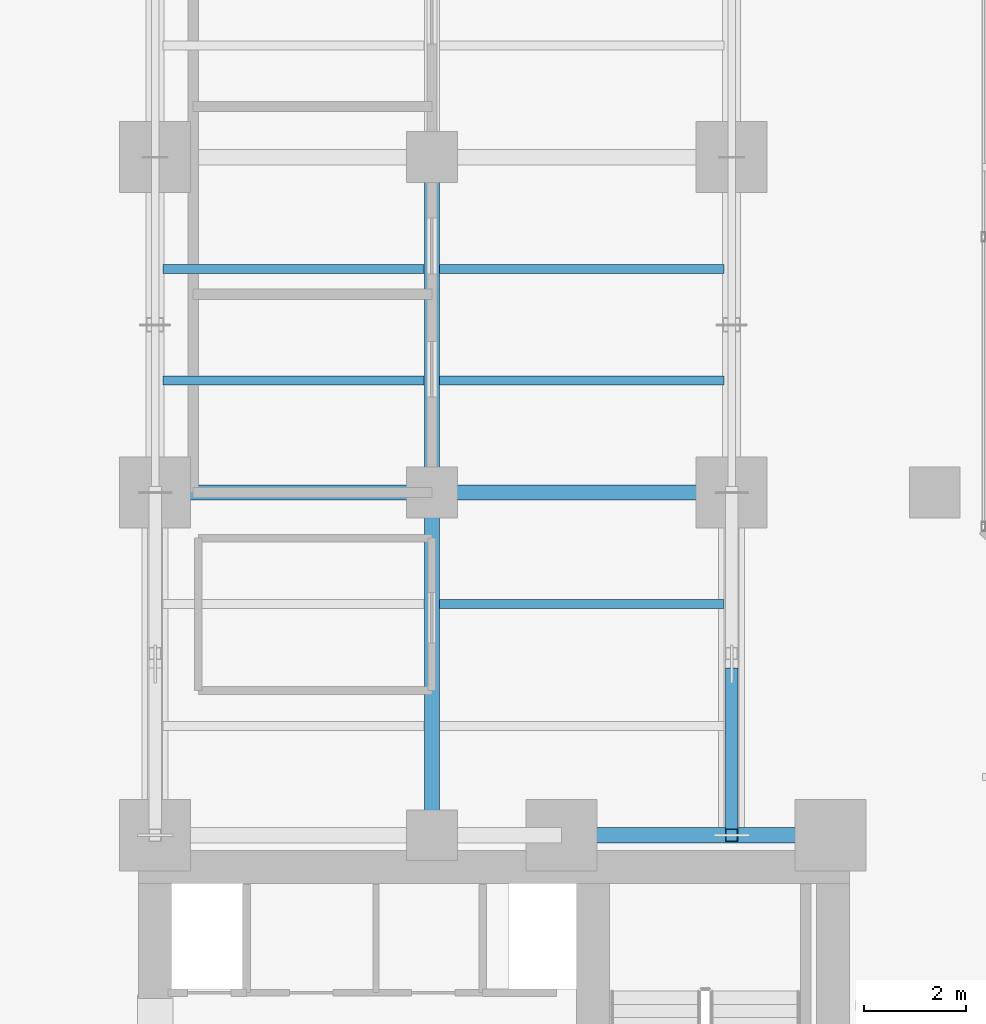
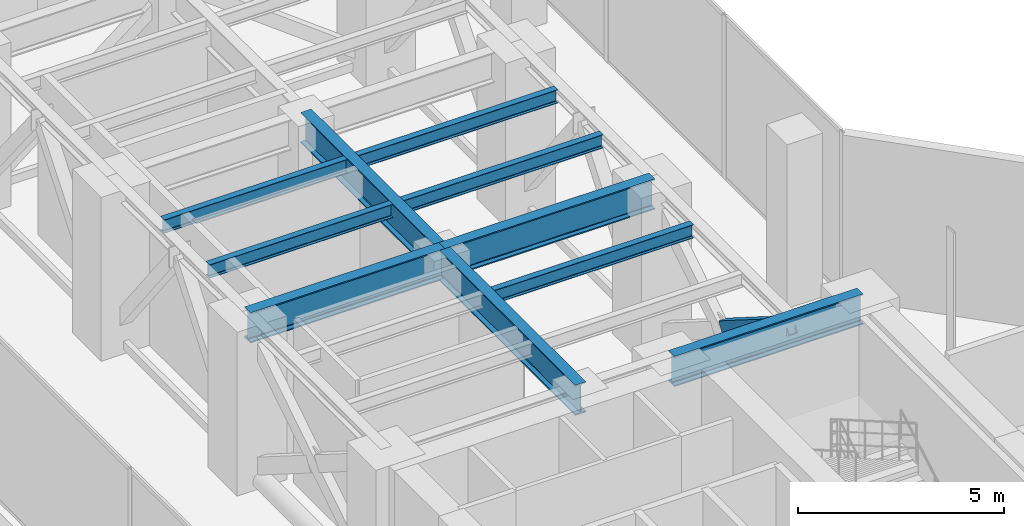
# One storey, part 11 of 37: 10 beams, 1 member.
"""IFC4 building model written with IfcOpenShell, lengths in metres."""

from ifc_helpers import new_model, si_unit, direction, frame, origin, origin_2d, place, context, subcontext, project, spatial, hollow_rectangle, i_section, extrude, material, material_profile, profile_set, type_object, element, save


model = new_model("IFC4")

# Units and contexts
model_context = context("Model", 3, precision=1e-05, world=origin(), true_north=direction((0.0, 1.0)))
body_context = subcontext(model_context, "Body", "Model", "MODEL_VIEW")
ifc_project = project(units=[si_unit("LENGTHUNIT", "METRE"), si_unit("AREAUNIT", "SQUARE_METRE"), si_unit("VOLUMEUNIT", "CUBIC_METRE"), si_unit("PLANEANGLEUNIT", "RADIAN"), si_unit("MASSUNIT", "GRAM", prefix="KILO")], contexts=[model_context])

# Site, building, storey
site_placement = place(None, origin())
site = spatial("IfcSite", under=ifc_project, at=site_placement, CompositionType="ELEMENT")
building_placement = place(site_placement, origin())
building = spatial("IfcBuilding", under=site, at=building_placement, Name="Kolvaren Waterfront Exchange", CompositionType="ELEMENT")
storey_placement = place(building_placement, frame((0.0, 0.0, 141.10009765625)))
storey = spatial("IfcBuildingStorey", under=building, at=storey_placement, Name="L36", CompositionType="ELEMENT", Elevation=141.10009765625)

# Beams
ifc_material_1 = material(Name="Steel S355", Category="steel")
ifc_material_profile_1 = material_profile(ifc_material_1, i_section(OverallWidth=0.300048828125, OverallDepth=0.89990234375, WebThickness=0.0185546875, FlangeThickness=0.034912109375, FilletRadius=0.030029296875, at=origin_2d()), Name="HEB900")
ifc_profile_set_1 = profile_set([ifc_material_profile_1], Name="Steel S355")
beam_type_1 = type_object("IfcBeamType", Name="STR-BM-HEB900", PredefinedType="BEAM", material=ifc_profile_set_1)
beam_1_placement = place(storey_placement, frame((15.449951171875, 24.449951171875, 4.409912109375), z_axis=(1.0, 0.0, 0.0), x_axis=(0.0, 1.0, 0.0)))
element("IfcBeam", 1, at=beam_1_placement, inside=storey, type_object=beam_type_1, Name="L36 north-arm girder 1C", PredefinedType="BEAM", context=body_context, shape_type="SweptSolid", body=[
    extrude(i_section(OverallWidth=0.300048828125, OverallDepth=0.89990234375, WebThickness=0.0185546875, FlangeThickness=0.034912109375, FilletRadius=0.030029296875, at=origin_2d()), origin(), (0.0, 0.0, 1.0), 5.300048828125),
])
beam_2_placement = place(storey_placement, frame((7.449951171875, 31.199951171875, 4.409912109375), z_axis=(1.0, 0.0, 0.0), x_axis=(0.0, 1.0, 0.0)))
element("IfcBeam", 2, at=beam_2_placement, inside=storey, type_object=beam_type_1, Name="L36 north-arm girder 2A", PredefinedType="BEAM", context=body_context, shape_type="SweptSolid", body=[
    extrude(i_section(OverallWidth=0.300048828125, OverallDepth=0.89990234375, WebThickness=0.0185546875, FlangeThickness=0.034912109375, FilletRadius=0.030029296875, at=origin_2d()), origin(), (0.0, 0.0, 1.0), 5.449951171875),
])
beam_3_placement = place(storey_placement, frame((12.89990234375, 31.199951171875, 4.409912109375), z_axis=(1.0, 0.0, 0.0), x_axis=(0.0, 1.0, 0.0)))
element("IfcBeam", 3, at=beam_3_placement, inside=storey, type_object=beam_type_1, Name="L36 north-arm girder 2B", PredefinedType="BEAM", context=body_context, shape_type="SweptSolid", body=[
    extrude(i_section(OverallWidth=0.300048828125, OverallDepth=0.89990234375, WebThickness=0.0185546875, FlangeThickness=0.034912109375, FilletRadius=0.030029296875, at=origin_2d()), origin(), (0.0, 0.0, 1.0), 5.900146484375),
])
beam_4_placement = place(storey_placement, frame((12.89990234375, 24.449951171875, 4.409912109375), z_axis=(0.0, 1.0, 0.0), x_axis=(-1.0, 0.0, 0.0)))
element("IfcBeam", 4, at=beam_4_placement, inside=storey, type_object=beam_type_1, Name="L36 north-arm edge beam 1", PredefinedType="BEAM", context=body_context, shape_type="SweptSolid", body=[
    extrude(i_section(OverallWidth=0.300048828125, OverallDepth=0.89990234375, WebThickness=0.0185546875, FlangeThickness=0.034912109375, FilletRadius=0.030029296875, at=origin_2d()), origin(), (0.0, 0.0, 1.0), 6.75),
])
beam_5_placement = place(storey_placement, frame((12.89990234375, 31.199951171875, 4.409912109375), z_axis=(0.0, 1.0, 0.0), x_axis=(-1.0, 0.0, 0.0)))
element("IfcBeam", 5, at=beam_5_placement, inside=storey, type_object=beam_type_1, Name="L36 north-arm edge beam 2", PredefinedType="BEAM", context=body_context, shape_type="SweptSolid", body=[
    extrude(i_section(OverallWidth=0.300048828125, OverallDepth=0.89990234375, WebThickness=0.0185546875, FlangeThickness=0.034912109375, FilletRadius=0.030029296875, at=origin_2d()), origin(), (0.0, 0.0, 1.0), 6.60009765625),
])
ifc_material_profile_2 = material_profile(ifc_material_1, i_section(OverallWidth=0.179931640625, OverallDepth=0.39990234375, WebThickness=0.008544921875, FlangeThickness=0.013427734375, FilletRadius=0.02099609375, at=origin_2d()), Name="IPE400")
ifc_profile_set_2 = profile_set([ifc_material_profile_2], Name="Steel S355")
beam_type_2 = type_object("IfcBeamType", Name="STR-BM-IPE400", PredefinedType="JOIST", material=ifc_profile_set_2)
beam_6_placement = place(storey_placement, frame((13.052001953125, 29.0, 4.659912109375), z_axis=(1.0, 0.0, 0.0), x_axis=(0.0, 1.0, 0.0)))
element("IfcBeam", 6, at=beam_6_placement, inside=storey, type_object=beam_type_2, Name="L36 north-arm composite joist 2B", PredefinedType="JOIST", context=body_context, shape_type="SweptSolid", body=[
    extrude(i_section(OverallWidth=0.179931640625, OverallDepth=0.39990234375, WebThickness=0.008544921875, FlangeThickness=0.013427734375, FilletRadius=0.02099609375, at=origin_2d()), origin(), (0.0, 0.0, 1.0), 5.595947265625),
])
beam_7_placement = place(storey_placement, frame((7.60205078125, 33.39990234375, 4.659912109375), z_axis=(1.0, 0.0, 0.0), x_axis=(0.0, 1.0, 0.0)))
element("IfcBeam", 7, at=beam_7_placement, inside=storey, type_object=beam_type_2, Name="L36 north-arm composite joist 3A", PredefinedType="JOIST", context=body_context, shape_type="SweptSolid", body=[
    extrude(i_section(OverallWidth=0.179931640625, OverallDepth=0.39990234375, WebThickness=0.008544921875, FlangeThickness=0.013427734375, FilletRadius=0.02099609375, at=origin_2d()), origin(), (0.0, 0.0, 1.0), 5.14599609375),
])
beam_8_placement = place(storey_placement, frame((13.052001953125, 33.39990234375, 4.659912109375), z_axis=(1.0, 0.0, 0.0), x_axis=(0.0, 1.0, 0.0)))
element("IfcBeam", 8, at=beam_8_placement, inside=storey, type_object=beam_type_2, Name="L36 north-arm composite joist 3B", PredefinedType="JOIST", context=body_context, shape_type="SweptSolid", body=[
    extrude(i_section(OverallWidth=0.179931640625, OverallDepth=0.39990234375, WebThickness=0.008544921875, FlangeThickness=0.013427734375, FilletRadius=0.02099609375, at=origin_2d()), origin(), (0.0, 0.0, 1.0), 5.595947265625),
])
beam_9_placement = place(storey_placement, frame((7.60205078125, 35.60009765625, 4.659912109375), z_axis=(1.0, 0.0, 0.0), x_axis=(0.0, 1.0, 0.0)))
element("IfcBeam", 9, at=beam_9_placement, inside=storey, type_object=beam_type_2, Name="L36 north-arm composite joist 4A", PredefinedType="JOIST", context=body_context, shape_type="SweptSolid", body=[
    extrude(i_section(OverallWidth=0.179931640625, OverallDepth=0.39990234375, WebThickness=0.008544921875, FlangeThickness=0.013427734375, FilletRadius=0.02099609375, at=origin_2d()), origin(), (0.0, 0.0, 1.0), 5.14599609375),
])
beam_10_placement = place(storey_placement, frame((13.052001953125, 35.60009765625, 4.659912109375), z_axis=(1.0, 0.0, 0.0), x_axis=(0.0, 1.0, 0.0)))
element("IfcBeam", 10, at=beam_10_placement, inside=storey, type_object=beam_type_2, Name="L36 north-arm composite joist 4B", PredefinedType="JOIST", context=body_context, shape_type="SweptSolid", body=[
    extrude(i_section(OverallWidth=0.179931640625, OverallDepth=0.39990234375, WebThickness=0.008544921875, FlangeThickness=0.013427734375, FilletRadius=0.02099609375, at=origin_2d()), origin(), (0.0, 0.0, 1.0), 5.595947265625),
])

# Member
ifc_material_2 = material(Name="Steel S460", Category="steel")
ifc_material_profile_3 = material_profile(ifc_material_2, hollow_rectangle(XDim=0.25, YDim=0.449951171875, WallThickness=0.01611328125, at=origin_2d()), Name="RHS450x250x16")
ifc_profile_set_3 = profile_set([ifc_material_profile_3], Name="Steel S460")
member_type = type_object("IfcMemberType", Name="STR-BR-RHS450", PredefinedType="BRACE", material=ifc_profile_set_3)
member_placement = place(storey_placement, frame((18.800048828125, 27.6220703125, 2.508056640625), z_axis=(0.0, -0.845668261927, 0.533708900778), x_axis=(1.0, 0.0, 0.0)))
element("IfcMember", 11, at=member_placement, inside=storey, type_object=member_type, Name="L36 outrigger split diagonal OA4.2B", PredefinedType="BRACE", context=body_context, shape_type="SweptSolid", body=[
    extrude(hollow_rectangle(XDim=0.25, YDim=0.449951171875, WallThickness=0.01611328125, at=origin_2d()), origin(), (0.0, 0.0, 1.0), 3.7509765625),
])

save(model, "model.ifc")
